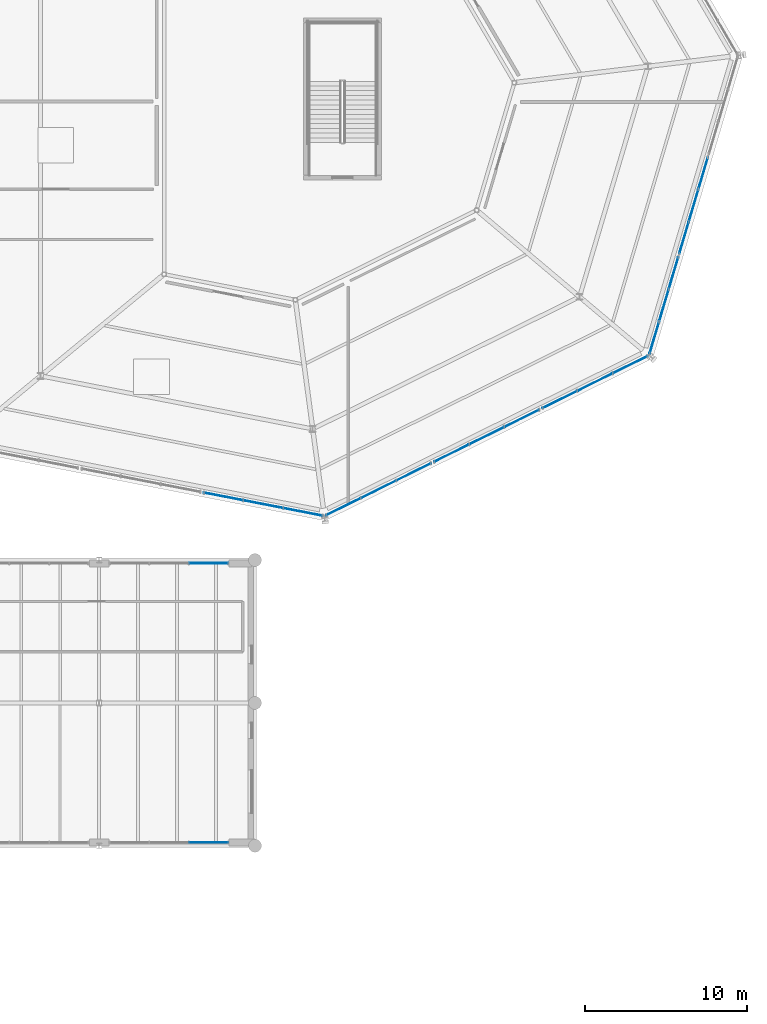
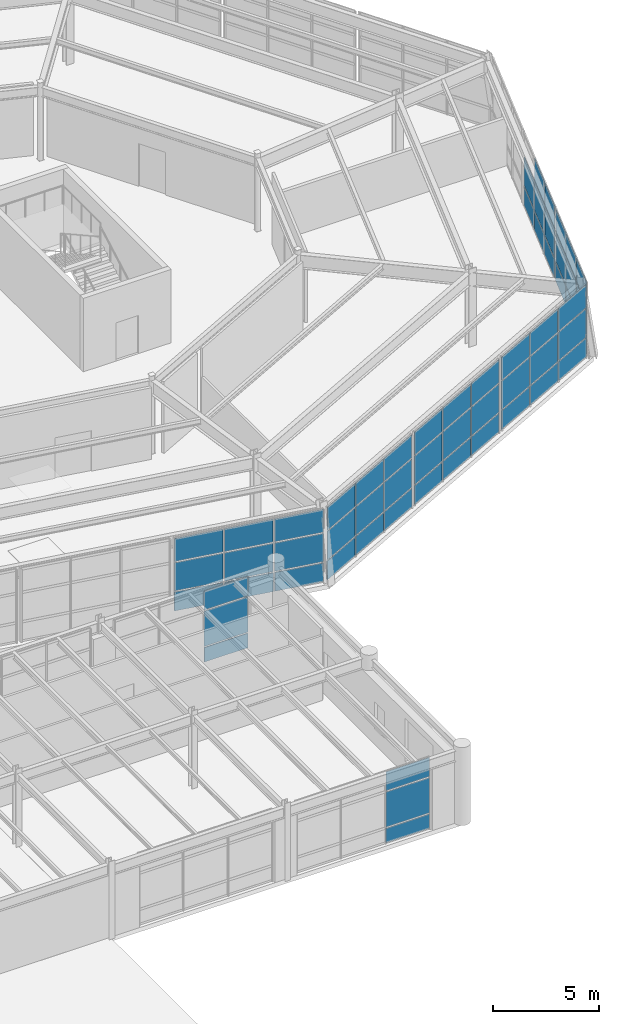
# One storey, part 55 of 88: 59 plates, 8 elements without a shape of their own.
"""IFC4 building model written with IfcOpenShell, lengths in metres."""

import ifcopenshell
import ifcopenshell.guid

model = None  # the IFC model being written
_history = None  # IfcOwnerHistory: only IFC2X3 demands one
_inside = {}  # id of a spatial element -> (the spatial element, [elements in it])
_under = {}  # id of a project, library or spatial element -> (it, [spatial elements below it])
_declared = {}  # id of a project -> (the project, [libraries it declares])
_typed = {}  # id of a type object -> (the type object, [elements of that type])
_made_of = {}  # id of a material, layer set ... -> (it, [elements and type objects made of it])


def new_model(schema):
    """Start an empty IFC model of exactly this schema.

    Asked for "IFC4X3", IfcOpenShell would pick the latest addendum, in which some entities
    have other attributes; the version numbers below select the first issue.
    IFC2X3 requires an IfcOwnerHistory on every rooted entity: one is made here for all.
    """
    global model, _history
    if schema == "IFC4X3":
        model = ifcopenshell.file(schema_version=(4, 3, 0, 0))
    else:
        model = ifcopenshell.file(schema=schema)
    _inside.clear()
    _under.clear()
    _declared.clear()
    _typed.clear()
    _made_of.clear()
    _history = None
    if model.schema == "IFC2X3":
        org = make("IfcOrganization", Name="unknown")
        user = make(
            "IfcPersonAndOrganization",
            ThePerson=make("IfcPerson", FamilyName="unknown"),
            TheOrganization=org,
        )
        app = make(
            "IfcApplication",
            ApplicationDeveloper=org,
            Version="unknown",
            ApplicationFullName="unknown",
            ApplicationIdentifier="unknown",
        )
        _history = make(
            "IfcOwnerHistory",
            OwningUser=user,
            OwningApplication=app,
            ChangeAction="ADDED",
            CreationDate=0,
        )
    return model


def make(cls, **values):
    """One entity of the class cls with the attributes given. An attribute that is None is left unset."""
    return model.create_entity(
        cls, **{name: value for name, value in values.items() if value is not None}
    )


def rooted(cls, **values):
    """An entity with a GlobalId (a new one), such as an element, a storey or a relation."""
    return make(cls, GlobalId=ifcopenshell.guid.new(), OwnerHistory=_history, **values)


def si_unit(unit_type, name, prefix=None):
    """IfcSIUnit, for example si_unit("LENGTHUNIT", "METRE", prefix="MILLI")."""
    return make("IfcSIUnit", UnitType=unit_type, Prefix=prefix, Name=name)


def assignment(units):
    """IfcUnitAssignment: the units of a project."""
    return None if units is None else make("IfcUnitAssignment", Units=units)


def point(xyz):
    """IfcCartesianPoint."""
    return None if xyz is None else make("IfcCartesianPoint", Coordinates=xyz)


def direction(xyz):
    """IfcDirection."""
    return None if xyz is None else make("IfcDirection", DirectionRatios=xyz)


def frame(location, z_axis=None, x_axis=None):
    """IfcAxis2Placement3D, a coordinate frame: its origin and axes. An axis left out is left unset."""
    return make(
        "IfcAxis2Placement3D",
        Location=point(location),
        Axis=direction(z_axis),
        RefDirection=direction(x_axis),
    )


def frame_2d(location, x_axis=None):
    """IfcAxis2Placement2D, a coordinate frame in the plane: its origin and x axis."""
    return make(
        "IfcAxis2Placement2D", Location=point(location), RefDirection=direction(x_axis)
    )


def origin():
    """The frame at (0, 0, 0) with its axes left unset."""
    return frame((0.0, 0.0, 0.0))


def origin_2d():
    """The frame at (0, 0) in the plane with its x axis left unset."""
    return frame_2d((0.0, 0.0))


def place(relative_to, where):
    """IfcLocalPlacement: puts the frame where relative to a parent placement (None: the world)."""
    return make(
        "IfcLocalPlacement", PlacementRelTo=relative_to, RelativePlacement=where
    )


def context(
    kind, dimensions, precision=None, world=None, true_north=None, identifier=None
):
    """IfcGeometricRepresentationContext, for example the 3D "Model" context."""
    return make(
        "IfcGeometricRepresentationContext",
        ContextIdentifier=identifier,
        ContextType=kind,
        CoordinateSpaceDimension=dimensions,
        Precision=precision,
        WorldCoordinateSystem=world,
        TrueNorth=true_north,
    )


def subcontext(parent, identifier, kind, view, scale=None):
    """IfcGeometricRepresentationSubContext, for example "Body" below "Model"."""
    return make(
        "IfcGeometricRepresentationSubContext",
        ContextIdentifier=identifier,
        ContextType=kind,
        ParentContext=parent,
        TargetScale=scale,
        TargetView=view,
    )


def project(units=None, contexts=None):
    """IfcProject with its units and contexts."""
    return rooted(
        "IfcProject",
        Name="project",
        RepresentationContexts=contexts,
        UnitsInContext=assignment(units),
    )


def spatial(cls, under=None, at=None, **own):
    """A site, building, storey or space (cls), placed at a placement, below another one or the project."""
    s = rooted(cls, ObjectPlacement=at, **own)
    if under is not None:
        _under.setdefault(under.id(), (under, []))[1].append(s)
    return s


def profile(cls, at=None, kind="AREA", **sizes):
    """A parametric profile (cls). Its sizes go by their IFC names, for example OverallWidth=200.0."""
    return make(cls, ProfileType=kind, Position=at, **sizes)


def rectangle(**sizes):
    """IfcRectangleProfileDef."""
    return profile("IfcRectangleProfileDef", **sizes)


def extrude(swept, where, along, depth):
    """IfcExtrudedAreaSolid: the profile swept, set in the frame where, extruded along a direction by depth."""
    return make(
        "IfcExtrudedAreaSolid",
        SweptArea=swept,
        Position=where,
        ExtrudedDirection=direction(along),
        Depth=depth,
    )


def shape(context_of_items, identifier, shape_type, items):
    """IfcShapeRepresentation: the items that make up one representation, for example the "Body"."""
    return make(
        "IfcShapeRepresentation",
        ContextOfItems=context_of_items,
        RepresentationIdentifier=identifier,
        RepresentationType=shape_type,
        Items=items,
    )


def material(Name=None, Category=None):
    """IfcMaterial."""
    return make("IfcMaterial", Name=Name, Category=Category)


def layer(
    of_material, thickness, ventilated=None, Name=None, Category=None, Priority=None
):
    """IfcMaterialLayer: one layer of a wall or slab, of a material (None: an air gap)."""
    return make(
        "IfcMaterialLayer",
        Material=of_material,
        LayerThickness=thickness,
        IsVentilated=ventilated,
        Name=Name,
        Category=Category,
        Priority=Priority,
    )


def layer_set(layers, Name=None):
    """IfcMaterialLayerSet."""
    return make("IfcMaterialLayerSet", MaterialLayers=layers, LayerSetName=Name)


def made_of(thing, what):
    """Note that an element or type object is made of a material, layer set ...; save() writes the relation."""
    if what is not None:
        _made_of.setdefault(what.id(), (what, []))[1].append(thing)
    return thing


def type_object(cls, material=None, **own):
    """A type object (cls), such as IfcWallType, which elements share."""
    return made_of(rooted(cls, **own), material)


def element(
    cls,
    number,
    at=None,
    inside=None,
    cuts=None,
    type_object=None,
    material=None,
    context=None,
    identifier="Body",
    shape_type=None,
    held_by="IfcProductDefinitionShape",
    body=None,
    shapes=None,
    **own,
):
    """One element of the class cls, such as IfcWall. Its Tag is "e" and its number.

    at: its placement. inside: the storey or other place that contains it. cuts: it is an
    opening in that element (IfcRelVoidsElement). A single representation is given by context,
    identifier, shape_type and body (its items); several are given by shapes. held_by: the class
    of the entity that holds the representations. save() writes the other relations.
    """
    e = rooted(cls, Tag="e%d" % number, ObjectPlacement=at, **own)
    if body is not None:
        shapes = [shape(context, identifier, shape_type, body)]
    if shapes is not None:
        e.Representation = make(held_by, Representations=shapes)
    if inside is not None:
        _inside.setdefault(inside.id(), (inside, []))[1].append(e)
    if cuts is not None:
        rooted(
            "IfcRelVoidsElement", RelatingBuildingElement=cuts, RelatedOpeningElement=e
        )
    if type_object is not None:
        _typed.setdefault(type_object.id(), (type_object, []))[1].append(e)
    return made_of(e, material)


def aggregate(whole, parts):
    """IfcRelAggregates: a whole, such as a stair, and the parts it consists of."""
    return rooted("IfcRelAggregates", RelatingObject=whole, RelatedObjects=parts)


def save(model, path):
    """Write the relations noted so far, then the file.

    IfcRelAggregates (storeys below a building ...), IfcRelContainedInSpatialStructure (elements
    in a storey), IfcRelDefinesByType, IfcRelAssociatesMaterial and IfcRelDeclares: one each for
    every whole, place, type object, material and project.
    """
    for whole, parts in _under.values():
        aggregate(whole, parts)
    for where, things in _inside.values():
        rooted(
            "IfcRelContainedInSpatialStructure",
            RelatedElements=things,
            RelatingStructure=where,
        )
    for kind, things in _typed.values():
        rooted("IfcRelDefinesByType", RelatedObjects=things, RelatingType=kind)
    for what, things in _made_of.values():
        rooted("IfcRelAssociatesMaterial", RelatedObjects=things, RelatingMaterial=what)
    for by, libraries in _declared.values():
        rooted("IfcRelDeclares", RelatingContext=by, RelatedDefinitions=libraries)
    model.write(path)


model = new_model("IFC4")

# Units and contexts
model_context = context("Model", 3, precision=1e-05, world=origin(), true_north=direction((0.0, 1.0)))
body_context = subcontext(model_context, "Body", "Model", "MODEL_VIEW")
ifc_project = project(units=[si_unit("LENGTHUNIT", "METRE"), si_unit("AREAUNIT", "SQUARE_METRE"), si_unit("VOLUMEUNIT", "CUBIC_METRE"), si_unit("PLANEANGLEUNIT", "RADIAN"), si_unit("MASSUNIT", "GRAM", prefix="KILO")], contexts=[model_context])

# Site, building, storey
site_placement = place(None, origin())
site = spatial("IfcSite", under=ifc_project, at=site_placement, CompositionType="ELEMENT")
building_placement = place(site_placement, origin())
building = spatial("IfcBuilding", under=site, at=building_placement, Name="Sarnbrook Museum", CompositionType="ELEMENT")
storey_placement = place(building_placement, frame((0.0, 0.0, 10.10009765625)))
storey = spatial("IfcBuildingStorey", under=building, at=storey_placement, Name="L02", CompositionType="ELEMENT", Elevation=10.10009765625)

# Curtain wall, plates
ifc_material_1 = material(Name="Thermally Broken Anodised Aluminium 6063-T6", Category="aluminium")
curtain_wall_type_1 = type_object("IfcCurtainWallType", Name="CurtainWall_CrystalFacet", PredefinedType="NOTDEFINED", material=ifc_material_1)
curtain_wall_1_placement = place(storey_placement, origin())
curtain_wall_1 = element("IfcCurtainWall", 1, at=curtain_wall_1_placement, inside=storey, type_object=curtain_wall_type_1, Name="Crystal Hall Facet Curtain Wall L02-F1.3", PredefinedType="NOTDEFINED")
ifc_material_2 = material(Name="Double-Glazed Low-Iron Laminated Safety Glass", Category="glass")
ifc_layer_1 = layer(ifc_material_2, 0.031982421875)
ifc_layer_set_1 = layer_set([ifc_layer_1], Name="Double-Glazed Low-Iron Laminated Safety Glass")
plate_type_1 = type_object("IfcPlateType", Name="CW_GlazedPanel_32", PredefinedType="CURTAIN_PANEL", material=ifc_layer_set_1)
plate_1_placement = place(storey_placement, frame((136.451904296875, 60.7333984375, 2.0), z_axis=(-0.191313464027, -0.981528990138, 0.0), x_axis=(0.981528990138, -0.191313464027, 0.0)))
plate_1 = element("IfcPlate", 2, at=plate_1_placement, type_object=plate_type_1, Name="Crystal Hall Facet Curtain Wall L02-F1.3 Glazed Panel 1-2", PredefinedType="CURTAIN_PANEL", context=body_context, shape_type="SweptSolid", body=[
    extrude(rectangle(XDim=2.4306640625, YDim=1.6298828125, at=origin_2d()), origin(), (0.0, 0.0, 1.0), 0.031982421875),
])
plate_2_placement = place(storey_placement, frame((136.451904296875, 60.7333984375, 3.544921875), z_axis=(-0.191313464027, -0.981528990138, 0.0), x_axis=(0.981528990138, -0.191313464027, 0.0)))
plate_2 = element("IfcPlate", 3, at=plate_2_placement, type_object=plate_type_1, Name="Crystal Hall Facet Curtain Wall L02-F1.3 Glazed Panel 1-3", PredefinedType="CURTAIN_PANEL", context=body_context, shape_type="SweptSolid", body=[
    extrude(rectangle(XDim=2.4306640625, YDim=1.320068359375, at=origin_2d()), origin(), (0.0, 0.0, 1.0), 0.031982421875),
])
plate_3_placement = place(storey_placement, frame((138.911376953125, 60.25390625, 2.0), z_axis=(-0.191313464027, -0.981528990138, 0.0), x_axis=(0.981528990138, -0.191313464027, 0.0)))
plate_3 = element("IfcPlate", 4, at=plate_3_placement, type_object=plate_type_1, Name="Crystal Hall Facet Curtain Wall L02-F1.3 Glazed Panel 2-2", PredefinedType="CURTAIN_PANEL", context=body_context, shape_type="SweptSolid", body=[
    extrude(rectangle(XDim=2.4306640625, YDim=1.6298828125, at=origin_2d()), origin(), (0.0, 0.0, 1.0), 0.031982421875),
])
plate_4_placement = place(storey_placement, frame((138.911376953125, 60.25390625, 3.544921875), z_axis=(-0.191313464027, -0.981528990138, 0.0), x_axis=(0.981528990138, -0.191313464027, 0.0)))
plate_4 = element("IfcPlate", 5, at=plate_4_placement, type_object=plate_type_1, Name="Crystal Hall Facet Curtain Wall L02-F1.3 Glazed Panel 2-3", PredefinedType="CURTAIN_PANEL", context=body_context, shape_type="SweptSolid", body=[
    extrude(rectangle(XDim=2.4306640625, YDim=1.320068359375, at=origin_2d()), origin(), (0.0, 0.0, 1.0), 0.031982421875),
])
plate_5_placement = place(storey_placement, frame((141.370849609375, 59.7744140625, 2.0), z_axis=(-0.191313464027, -0.981528990138, 0.0), x_axis=(0.981528990138, -0.191313464027, 0.0)))
plate_5 = element("IfcPlate", 6, at=plate_5_placement, type_object=plate_type_1, Name="Crystal Hall Facet Curtain Wall L02-F1.3 Glazed Panel 3-2", PredefinedType="CURTAIN_PANEL", context=body_context, shape_type="SweptSolid", body=[
    extrude(rectangle(XDim=2.4306640625, YDim=1.6298828125, at=origin_2d()), origin(), (0.0, 0.0, 1.0), 0.031982421875),
])
plate_6_placement = place(storey_placement, frame((141.370849609375, 59.7744140625, 3.544921875), z_axis=(-0.191313464027, -0.981528990138, 0.0), x_axis=(0.981528990138, -0.191313464027, 0.0)))
plate_6 = element("IfcPlate", 7, at=plate_6_placement, type_object=plate_type_1, Name="Crystal Hall Facet Curtain Wall L02-F1.3 Glazed Panel 3-3", PredefinedType="CURTAIN_PANEL", context=body_context, shape_type="SweptSolid", body=[
    extrude(rectangle(XDim=2.4306640625, YDim=1.320068359375, at=origin_2d()), origin(), (0.0, 0.0, 1.0), 0.031982421875),
])

curtain_wall_2_placement = place(storey_placement, origin())
curtain_wall_2 = element("IfcCurtainWall", 8, at=curtain_wall_2_placement, inside=storey, type_object=curtain_wall_type_1, Name="Crystal Hall Facet Curtain Wall L02-F2.1", PredefinedType="NOTDEFINED")
plate_7_placement = place(storey_placement, frame((143.83251953125, 60.0927734375, 2.0), z_axis=(0.443730499087, -0.896160278176, 0.0), x_axis=(0.896160278176, 0.443730499087, 0.0)))
plate_7 = element("IfcPlate", 9, at=plate_7_placement, type_object=plate_type_1, Name="Crystal Hall Facet Curtain Wall L02-F2.1 Glazed Panel 1-2", PredefinedType="CURTAIN_PANEL", context=body_context, shape_type="SweptSolid", body=[
    extrude(rectangle(XDim=2.350830078125, YDim=1.6298828125, at=origin_2d()), origin(), (0.0, 0.0, 1.0), 0.031982421875),
])
plate_8_placement = place(storey_placement, frame((143.83251953125, 60.0927734375, 3.544921875), z_axis=(0.443730499087, -0.896160278176, 0.0), x_axis=(0.896160278176, 0.443730499087, 0.0)))
plate_8 = element("IfcPlate", 10, at=plate_8_placement, type_object=plate_type_1, Name="Crystal Hall Facet Curtain Wall L02-F2.1 Glazed Panel 1-3", PredefinedType="CURTAIN_PANEL", context=body_context, shape_type="SweptSolid", body=[
    extrude(rectangle(XDim=2.350830078125, YDim=1.320068359375, at=origin_2d()), origin(), (0.0, 0.0, 1.0), 0.031982421875),
])
plate_9_placement = place(storey_placement, frame((146.00634765625, 61.169189453125, 2.0), z_axis=(0.443730499087, -0.896160278176, 0.0), x_axis=(0.896160278176, 0.443730499087, 0.0)))
plate_9 = element("IfcPlate", 11, at=plate_9_placement, type_object=plate_type_1, Name="Crystal Hall Facet Curtain Wall L02-F2.1 Glazed Panel 2-2", PredefinedType="CURTAIN_PANEL", context=body_context, shape_type="SweptSolid", body=[
    extrude(rectangle(XDim=2.350830078125, YDim=1.6298828125, at=origin_2d()), origin(), (0.0, 0.0, 1.0), 0.031982421875),
])
plate_10_placement = place(storey_placement, frame((146.00634765625, 61.169189453125, 3.544921875), z_axis=(0.443730499087, -0.896160278176, 0.0), x_axis=(0.896160278176, 0.443730499087, 0.0)))
plate_10 = element("IfcPlate", 12, at=plate_10_placement, type_object=plate_type_1, Name="Crystal Hall Facet Curtain Wall L02-F2.1 Glazed Panel 2-3", PredefinedType="CURTAIN_PANEL", context=body_context, shape_type="SweptSolid", body=[
    extrude(rectangle(XDim=2.350830078125, YDim=1.320068359375, at=origin_2d()), origin(), (0.0, 0.0, 1.0), 0.031982421875),
])
plate_11_placement = place(storey_placement, frame((148.180419921875, 62.24560546875, 2.0), z_axis=(0.443730499087, -0.896160278176, 0.0), x_axis=(0.896160278176, 0.443730499087, 0.0)))
plate_11 = element("IfcPlate", 13, at=plate_11_placement, type_object=plate_type_1, Name="Crystal Hall Facet Curtain Wall L02-F2.1 Glazed Panel 3-2", PredefinedType="CURTAIN_PANEL", context=body_context, shape_type="SweptSolid", body=[
    extrude(rectangle(XDim=2.350830078125, YDim=1.6298828125, at=origin_2d()), origin(), (0.0, 0.0, 1.0), 0.031982421875),
])
plate_12_placement = place(storey_placement, frame((148.180419921875, 62.24560546875, 3.544921875), z_axis=(0.443730499087, -0.896160278176, 0.0), x_axis=(0.896160278176, 0.443730499087, 0.0)))
plate_12 = element("IfcPlate", 14, at=plate_12_placement, type_object=plate_type_1, Name="Crystal Hall Facet Curtain Wall L02-F2.1 Glazed Panel 3-3", PredefinedType="CURTAIN_PANEL", context=body_context, shape_type="SweptSolid", body=[
    extrude(rectangle(XDim=2.350830078125, YDim=1.320068359375, at=origin_2d()), origin(), (0.0, 0.0, 1.0), 0.031982421875),
])

curtain_wall_3_placement = place(storey_placement, origin())
curtain_wall_3 = element("IfcCurtainWall", 15, at=curtain_wall_3_placement, inside=storey, type_object=curtain_wall_type_1, Name="Crystal Hall Facet Curtain Wall L02-F2.2", PredefinedType="NOTDEFINED")
plate_13_placement = place(storey_placement, frame((150.49755859375, 63.392822265625, 2.0), z_axis=(0.443730499087, -0.896160278176, 0.0), x_axis=(0.896160278176, 0.443730499087, 0.0)))
plate_13 = element("IfcPlate", 16, at=plate_13_placement, type_object=plate_type_1, Name="Crystal Hall Facet Curtain Wall L02-F2.2 Glazed Panel 1-2", PredefinedType="CURTAIN_PANEL", context=body_context, shape_type="SweptSolid", body=[
    extrude(rectangle(XDim=2.350830078125, YDim=1.6298828125, at=origin_2d()), origin(), (0.0, 0.0, 1.0), 0.031982421875),
])
plate_14_placement = place(storey_placement, frame((150.49755859375, 63.392822265625, 3.544921875), z_axis=(0.443730499087, -0.896160278176, 0.0), x_axis=(0.896160278176, 0.443730499087, 0.0)))
plate_14 = element("IfcPlate", 17, at=plate_14_placement, type_object=plate_type_1, Name="Crystal Hall Facet Curtain Wall L02-F2.2 Glazed Panel 1-3", PredefinedType="CURTAIN_PANEL", context=body_context, shape_type="SweptSolid", body=[
    extrude(rectangle(XDim=2.350830078125, YDim=1.320068359375, at=origin_2d()), origin(), (0.0, 0.0, 1.0), 0.031982421875),
])
plate_15_placement = place(storey_placement, frame((152.671630859375, 64.46923828125, 2.0), z_axis=(0.443730499087, -0.896160278176, 0.0), x_axis=(0.896160278176, 0.443730499087, 0.0)))
plate_15 = element("IfcPlate", 18, at=plate_15_placement, type_object=plate_type_1, Name="Crystal Hall Facet Curtain Wall L02-F2.2 Glazed Panel 2-2", PredefinedType="CURTAIN_PANEL", context=body_context, shape_type="SweptSolid", body=[
    extrude(rectangle(XDim=2.350830078125, YDim=1.6298828125, at=origin_2d()), origin(), (0.0, 0.0, 1.0), 0.031982421875),
])
plate_16_placement = place(storey_placement, frame((152.671630859375, 64.46923828125, 3.544921875), z_axis=(0.443730499087, -0.896160278176, 0.0), x_axis=(0.896160278176, 0.443730499087, 0.0)))
plate_16 = element("IfcPlate", 19, at=plate_16_placement, type_object=plate_type_1, Name="Crystal Hall Facet Curtain Wall L02-F2.2 Glazed Panel 2-3", PredefinedType="CURTAIN_PANEL", context=body_context, shape_type="SweptSolid", body=[
    extrude(rectangle(XDim=2.350830078125, YDim=1.320068359375, at=origin_2d()), origin(), (0.0, 0.0, 1.0), 0.031982421875),
])
plate_17_placement = place(storey_placement, frame((154.845458984375, 65.545654296875, 2.0), z_axis=(0.443730499087, -0.896160278176, 0.0), x_axis=(0.896160278176, 0.443730499087, 0.0)))
plate_17 = element("IfcPlate", 20, at=plate_17_placement, type_object=plate_type_1, Name="Crystal Hall Facet Curtain Wall L02-F2.2 Glazed Panel 3-2", PredefinedType="CURTAIN_PANEL", context=body_context, shape_type="SweptSolid", body=[
    extrude(rectangle(XDim=2.350830078125, YDim=1.6298828125, at=origin_2d()), origin(), (0.0, 0.0, 1.0), 0.031982421875),
])
plate_18_placement = place(storey_placement, frame((154.845458984375, 65.545654296875, 3.544921875), z_axis=(0.443730499087, -0.896160278176, 0.0), x_axis=(0.896160278176, 0.443730499087, 0.0)))
plate_18 = element("IfcPlate", 21, at=plate_18_placement, type_object=plate_type_1, Name="Crystal Hall Facet Curtain Wall L02-F2.2 Glazed Panel 3-3", PredefinedType="CURTAIN_PANEL", context=body_context, shape_type="SweptSolid", body=[
    extrude(rectangle(XDim=2.350830078125, YDim=1.320068359375, at=origin_2d()), origin(), (0.0, 0.0, 1.0), 0.031982421875),
])

curtain_wall_4_placement = place(storey_placement, origin())
curtain_wall_4 = element("IfcCurtainWall", 22, at=curtain_wall_4_placement, inside=storey, type_object=curtain_wall_type_1, Name="Crystal Hall Facet Curtain Wall L02-F2.3", PredefinedType="NOTDEFINED")
plate_19_placement = place(storey_placement, frame((157.162841796875, 66.693115234375, 2.0), z_axis=(0.443730499087, -0.896160278176, 0.0), x_axis=(0.896160278176, 0.443730499087, 0.0)))
plate_19 = element("IfcPlate", 23, at=plate_19_placement, type_object=plate_type_1, Name="Crystal Hall Facet Curtain Wall L02-F2.3 Glazed Panel 1-2", PredefinedType="CURTAIN_PANEL", context=body_context, shape_type="SweptSolid", body=[
    extrude(rectangle(XDim=2.350830078125, YDim=1.6298828125, at=origin_2d()), origin(), (0.0, 0.0, 1.0), 0.031982421875),
])
plate_20_placement = place(storey_placement, frame((157.162841796875, 66.693115234375, 3.544921875), z_axis=(0.443730499087, -0.896160278176, 0.0), x_axis=(0.896160278176, 0.443730499087, 0.0)))
plate_20 = element("IfcPlate", 24, at=plate_20_placement, type_object=plate_type_1, Name="Crystal Hall Facet Curtain Wall L02-F2.3 Glazed Panel 1-3", PredefinedType="CURTAIN_PANEL", context=body_context, shape_type="SweptSolid", body=[
    extrude(rectangle(XDim=2.350830078125, YDim=1.320068359375, at=origin_2d()), origin(), (0.0, 0.0, 1.0), 0.031982421875),
])
plate_21_placement = place(storey_placement, frame((159.336669921875, 67.76953125, 2.0), z_axis=(0.443730499087, -0.896160278176, 0.0), x_axis=(0.896160278176, 0.443730499087, 0.0)))
plate_21 = element("IfcPlate", 25, at=plate_21_placement, type_object=plate_type_1, Name="Crystal Hall Facet Curtain Wall L02-F2.3 Glazed Panel 2-2", PredefinedType="CURTAIN_PANEL", context=body_context, shape_type="SweptSolid", body=[
    extrude(rectangle(XDim=2.350830078125, YDim=1.6298828125, at=origin_2d()), origin(), (0.0, 0.0, 1.0), 0.031982421875),
])
plate_22_placement = place(storey_placement, frame((159.336669921875, 67.76953125, 3.544921875), z_axis=(0.443730499087, -0.896160278176, 0.0), x_axis=(0.896160278176, 0.443730499087, 0.0)))
plate_22 = element("IfcPlate", 26, at=plate_22_placement, type_object=plate_type_1, Name="Crystal Hall Facet Curtain Wall L02-F2.3 Glazed Panel 2-3", PredefinedType="CURTAIN_PANEL", context=body_context, shape_type="SweptSolid", body=[
    extrude(rectangle(XDim=2.350830078125, YDim=1.320068359375, at=origin_2d()), origin(), (0.0, 0.0, 1.0), 0.031982421875),
])
plate_23_placement = place(storey_placement, frame((161.510498046875, 68.845947265625, 2.0), z_axis=(0.443730499087, -0.896160278176, 0.0), x_axis=(0.896160278176, 0.443730499087, 0.0)))
plate_23 = element("IfcPlate", 27, at=plate_23_placement, type_object=plate_type_1, Name="Crystal Hall Facet Curtain Wall L02-F2.3 Glazed Panel 3-2", PredefinedType="CURTAIN_PANEL", context=body_context, shape_type="SweptSolid", body=[
    extrude(rectangle(XDim=2.350830078125, YDim=1.6298828125, at=origin_2d()), origin(), (0.0, 0.0, 1.0), 0.031982421875),
])
plate_24_placement = place(storey_placement, frame((161.510498046875, 68.845947265625, 3.544921875), z_axis=(0.443730499087, -0.896160278176, 0.0), x_axis=(0.896160278176, 0.443730499087, 0.0)))
plate_24 = element("IfcPlate", 28, at=plate_24_placement, type_object=plate_type_1, Name="Crystal Hall Facet Curtain Wall L02-F2.3 Glazed Panel 3-3", PredefinedType="CURTAIN_PANEL", context=body_context, shape_type="SweptSolid", body=[
    extrude(rectangle(XDim=2.350830078125, YDim=1.320068359375, at=origin_2d()), origin(), (0.0, 0.0, 1.0), 0.031982421875),
])

curtain_wall_5_placement = place(storey_placement, origin())
curtain_wall_5 = element("IfcCurtainWall", 29, at=curtain_wall_5_placement, inside=storey, type_object=curtain_wall_type_1, Name="Crystal Hall Facet Curtain Wall L02-F3.1", PredefinedType="NOTDEFINED")
plate_25_placement = place(storey_placement, frame((162.98486328125, 70.4921875, 2.0), z_axis=(0.95864604765, -0.284601045896, 0.0), x_axis=(0.284601045896, 0.95864604765, 0.0)))
plate_25 = element("IfcPlate", 30, at=plate_25_placement, type_object=plate_type_1, Name="Crystal Hall Facet Curtain Wall L02-F3.1 Glazed Panel 1-2", PredefinedType="CURTAIN_PANEL", context=body_context, shape_type="SweptSolid", body=[
    extrude(rectangle(XDim=2.0126953125, YDim=1.6298828125, at=origin_2d()), origin(), (0.0, 0.0, 1.0), 0.031982421875),
])
plate_26_placement = place(storey_placement, frame((162.98486328125, 70.4921875, 3.544921875), z_axis=(0.95864604765, -0.284601045896, 0.0), x_axis=(0.284601045896, 0.95864604765, 0.0)))
plate_26 = element("IfcPlate", 31, at=plate_26_placement, type_object=plate_type_1, Name="Crystal Hall Facet Curtain Wall L02-F3.1 Glazed Panel 1-3", PredefinedType="CURTAIN_PANEL", context=body_context, shape_type="SweptSolid", body=[
    extrude(rectangle(XDim=2.0126953125, YDim=1.320068359375, at=origin_2d()), origin(), (0.0, 0.0, 1.0), 0.031982421875),
])
plate_27_placement = place(storey_placement, frame((163.5791015625, 72.49365234375, 2.0), z_axis=(0.95864604765, -0.284601045896, 0.0), x_axis=(0.284601045896, 0.95864604765, 0.0)))
plate_27 = element("IfcPlate", 32, at=plate_27_placement, type_object=plate_type_1, Name="Crystal Hall Facet Curtain Wall L02-F3.1 Glazed Panel 2-2", PredefinedType="CURTAIN_PANEL", context=body_context, shape_type="SweptSolid", body=[
    extrude(rectangle(XDim=2.0126953125, YDim=1.6298828125, at=origin_2d()), origin(), (0.0, 0.0, 1.0), 0.031982421875),
])
plate_28_placement = place(storey_placement, frame((163.5791015625, 72.49365234375, 3.544921875), z_axis=(0.95864604765, -0.284601045896, 0.0), x_axis=(0.284601045896, 0.95864604765, 0.0)))
plate_28 = element("IfcPlate", 33, at=plate_28_placement, type_object=plate_type_1, Name="Crystal Hall Facet Curtain Wall L02-F3.1 Glazed Panel 2-3", PredefinedType="CURTAIN_PANEL", context=body_context, shape_type="SweptSolid", body=[
    extrude(rectangle(XDim=2.0126953125, YDim=1.320068359375, at=origin_2d()), origin(), (0.0, 0.0, 1.0), 0.031982421875),
])
plate_29_placement = place(storey_placement, frame((164.17333984375, 74.4951171875, 2.0), z_axis=(0.95864604765, -0.284601045896, 0.0), x_axis=(0.284601045896, 0.95864604765, 0.0)))
plate_29 = element("IfcPlate", 34, at=plate_29_placement, type_object=plate_type_1, Name="Crystal Hall Facet Curtain Wall L02-F3.1 Glazed Panel 3-2", PredefinedType="CURTAIN_PANEL", context=body_context, shape_type="SweptSolid", body=[
    extrude(rectangle(XDim=2.0126953125, YDim=1.6298828125, at=origin_2d()), origin(), (0.0, 0.0, 1.0), 0.031982421875),
])
plate_30_placement = place(storey_placement, frame((164.17333984375, 74.4951171875, 3.544921875), z_axis=(0.95864604765, -0.284601045896, 0.0), x_axis=(0.284601045896, 0.95864604765, 0.0)))
plate_30 = element("IfcPlate", 35, at=plate_30_placement, type_object=plate_type_1, Name="Crystal Hall Facet Curtain Wall L02-F3.1 Glazed Panel 3-3", PredefinedType="CURTAIN_PANEL", context=body_context, shape_type="SweptSolid", body=[
    extrude(rectangle(XDim=2.0126953125, YDim=1.320068359375, at=origin_2d()), origin(), (0.0, 0.0, 1.0), 0.031982421875),
])

curtain_wall_6_placement = place(storey_placement, origin())
curtain_wall_6 = element("IfcCurtainWall", 36, at=curtain_wall_6_placement, inside=storey, type_object=curtain_wall_type_1, Name="Crystal Hall Facet Curtain Wall L02-F3.2", PredefinedType="NOTDEFINED")
plate_31_placement = place(storey_placement, frame((164.81298828125, 76.64990234375, 2.0), z_axis=(0.95864604765, -0.284601045896, 0.0), x_axis=(0.284601045896, 0.95864604765, 0.0)))
plate_31 = element("IfcPlate", 37, at=plate_31_placement, type_object=plate_type_1, Name="Crystal Hall Facet Curtain Wall L02-F3.2 Glazed Panel 1-2", PredefinedType="CURTAIN_PANEL", context=body_context, shape_type="SweptSolid", body=[
    extrude(rectangle(XDim=2.0126953125, YDim=1.6298828125, at=origin_2d()), origin(), (0.0, 0.0, 1.0), 0.031982421875),
])
plate_32_placement = place(storey_placement, frame((164.81298828125, 76.64990234375, 3.544921875), z_axis=(0.95864604765, -0.284601045896, 0.0), x_axis=(0.284601045896, 0.95864604765, 0.0)))
plate_32 = element("IfcPlate", 38, at=plate_32_placement, type_object=plate_type_1, Name="Crystal Hall Facet Curtain Wall L02-F3.2 Glazed Panel 1-3", PredefinedType="CURTAIN_PANEL", context=body_context, shape_type="SweptSolid", body=[
    extrude(rectangle(XDim=2.0126953125, YDim=1.320068359375, at=origin_2d()), origin(), (0.0, 0.0, 1.0), 0.031982421875),
])
plate_33_placement = place(storey_placement, frame((165.4072265625, 78.651123046875, 2.0), z_axis=(0.95864604765, -0.284601045896, 0.0), x_axis=(0.284601045896, 0.95864604765, 0.0)))
plate_33 = element("IfcPlate", 39, at=plate_33_placement, type_object=plate_type_1, Name="Crystal Hall Facet Curtain Wall L02-F3.2 Glazed Panel 2-2", PredefinedType="CURTAIN_PANEL", context=body_context, shape_type="SweptSolid", body=[
    extrude(rectangle(XDim=2.0126953125, YDim=1.6298828125, at=origin_2d()), origin(), (0.0, 0.0, 1.0), 0.031982421875),
])
plate_34_placement = place(storey_placement, frame((165.4072265625, 78.651123046875, 3.544921875), z_axis=(0.95864604765, -0.284601045896, 0.0), x_axis=(0.284601045896, 0.95864604765, 0.0)))
plate_34 = element("IfcPlate", 40, at=plate_34_placement, type_object=plate_type_1, Name="Crystal Hall Facet Curtain Wall L02-F3.2 Glazed Panel 2-3", PredefinedType="CURTAIN_PANEL", context=body_context, shape_type="SweptSolid", body=[
    extrude(rectangle(XDim=2.0126953125, YDim=1.320068359375, at=origin_2d()), origin(), (0.0, 0.0, 1.0), 0.031982421875),
])
plate_35_placement = place(storey_placement, frame((166.001220703125, 80.652587890625, 2.0), z_axis=(0.95864604765, -0.284601045896, 0.0), x_axis=(0.284601045896, 0.95864604765, 0.0)))
plate_35 = element("IfcPlate", 41, at=plate_35_placement, type_object=plate_type_1, Name="Crystal Hall Facet Curtain Wall L02-F3.2 Glazed Panel 3-2", PredefinedType="CURTAIN_PANEL", context=body_context, shape_type="SweptSolid", body=[
    extrude(rectangle(XDim=2.0126953125, YDim=1.6298828125, at=origin_2d()), origin(), (0.0, 0.0, 1.0), 0.031982421875),
])

curtain_wall_type_2 = type_object("IfcCurtainWallType", Name="CurtainWall_GalleryRibbon", PredefinedType="NOTDEFINED", material=ifc_material_1)
curtain_wall_7_placement = place(storey_placement, origin())
curtain_wall_7 = element("IfcCurtainWall", 42, at=curtain_wall_7_placement, inside=storey, type_object=curtain_wall_type_2, Name="Gallery Ribbon Curtain Wall L02-16.2", PredefinedType="NOTDEFINED")
plate_36_placement = place(storey_placement, frame((135.55322265625, 39.41796875, 1.949951171875), z_axis=(0.0, -1.0, 0.0), x_axis=(1.0, 0.0, 0.0)))
plate_36 = element("IfcPlate", 43, at=plate_36_placement, type_object=plate_type_1, Name="Gallery Ribbon Curtain Wall L02-16.2 Glazed Panel 3-2", PredefinedType="CURTAIN_PANEL", context=body_context, shape_type="SweptSolid", body=[
    extrude(rectangle(XDim=2.37841796875, YDim=2.030029296875, at=origin_2d()), origin(), (0.0, 0.0, 1.0), 0.031982421875),
])
plate_37_placement = place(storey_placement, frame((135.55322265625, 39.41796875, 3.579833984375), z_axis=(0.0, -1.0, 0.0), x_axis=(1.0, 0.0, 0.0)))
plate_37 = element("IfcPlate", 44, at=plate_37_placement, type_object=plate_type_1, Name="Gallery Ribbon Curtain Wall L02-16.2 Glazed Panel 3-3", PredefinedType="CURTAIN_PANEL", context=body_context, shape_type="SweptSolid", body=[
    extrude(rectangle(XDim=2.37841796875, YDim=1.090087890625, at=origin_2d()), origin(), (0.0, 0.0, 1.0), 0.031982421875),
])

curtain_wall_8_placement = place(storey_placement, origin())
curtain_wall_8 = element("IfcCurtainWall", 45, at=curtain_wall_8_placement, inside=storey, type_object=curtain_wall_type_2, Name="Gallery Ribbon Curtain Wall L02-18.1", PredefinedType="NOTDEFINED")
plate_38_placement = place(storey_placement, frame((135.55322265625, 56.58203125, 1.949951171875), z_axis=(0.0, 1.0, 0.0), x_axis=(-1.0, 0.0, 0.0)))
plate_38 = element("IfcPlate", 46, at=plate_38_placement, type_object=plate_type_1, Name="Gallery Ribbon Curtain Wall L02-18.1 Glazed Panel 1-2", PredefinedType="CURTAIN_PANEL", context=body_context, shape_type="SweptSolid", body=[
    extrude(rectangle(XDim=2.37841796875, YDim=2.030029296875, at=origin_2d()), origin(), (0.0, 0.0, 1.0), 0.031982421875),
])
plate_39_placement = place(storey_placement, frame((135.55322265625, 56.58203125, 3.579833984375), z_axis=(0.0, 1.0, 0.0), x_axis=(-1.0, 0.0, 0.0)))
plate_39 = element("IfcPlate", 47, at=plate_39_placement, type_object=plate_type_1, Name="Gallery Ribbon Curtain Wall L02-18.1 Glazed Panel 1-3", PredefinedType="CURTAIN_PANEL", context=body_context, shape_type="SweptSolid", body=[
    extrude(rectangle(XDim=2.37841796875, YDim=1.090087890625, at=origin_2d()), origin(), (0.0, 0.0, 1.0), 0.031982421875),
])

# Plate
ifc_material_3 = material(Name="Patinated Architectural Bronze")
ifc_layer_2 = layer(ifc_material_3, 0.044921875)
ifc_layer_set_2 = layer_set([ifc_layer_2], Name="Patinated Architectural Bronze")
plate_type_2 = type_object("IfcPlateType", Name="CW_SpandrelPanel_45", PredefinedType="CURTAIN_PANEL", material=ifc_layer_set_2)
plate_40_placement = place(storey_placement, frame((136.453125, 60.73974609375, 0.574951171875), z_axis=(-0.191313464027, -0.981528990138, 0.0), x_axis=(0.981528990138, -0.191313464027, 0.0)))
plate_40 = element("IfcPlate", 48, at=plate_40_placement, type_object=plate_type_2, Name="Crystal Hall Facet Curtain Wall L02-F1.3 Spandrel Panel 1-1", PredefinedType="CURTAIN_PANEL", context=body_context, shape_type="SweptSolid", body=[
    extrude(rectangle(XDim=2.4306640625, YDim=1.080078125, at=origin_2d()), origin(), (0.0, 0.0, 1.0), 0.044921875),
])

plate_41_placement = place(storey_placement, frame((138.91259765625, 60.26025390625, 0.574951171875), z_axis=(-0.191313464027, -0.981528990138, 0.0), x_axis=(0.981528990138, -0.191313464027, 0.0)))
plate_41 = element("IfcPlate", 49, at=plate_41_placement, type_object=plate_type_2, Name="Crystal Hall Facet Curtain Wall L02-F1.3 Spandrel Panel 2-1", PredefinedType="CURTAIN_PANEL", context=body_context, shape_type="SweptSolid", body=[
    extrude(rectangle(XDim=2.4306640625, YDim=1.080078125, at=origin_2d()), origin(), (0.0, 0.0, 1.0), 0.044921875),
])

plate_42_placement = place(storey_placement, frame((141.3720703125, 59.78076171875, 0.574951171875), z_axis=(-0.191313464027, -0.981528990138, 0.0), x_axis=(0.981528990138, -0.191313464027, 0.0)))
plate_42 = element("IfcPlate", 50, at=plate_42_placement, type_object=plate_type_2, Name="Crystal Hall Facet Curtain Wall L02-F1.3 Spandrel Panel 3-1", PredefinedType="CURTAIN_PANEL", context=body_context, shape_type="SweptSolid", body=[
    extrude(rectangle(XDim=2.4306640625, YDim=1.080078125, at=origin_2d()), origin(), (0.0, 0.0, 1.0), 0.044921875),
])

aggregate(curtain_wall_1, [plate_40, plate_1, plate_2, plate_41, plate_3, plate_4, plate_42, plate_5, plate_6])

plate_43_placement = place(storey_placement, frame((143.82958984375, 60.098388671875, 0.574951171875), z_axis=(0.443730499087, -0.896160278176, 0.0), x_axis=(0.896160278176, 0.443730499087, 0.0)))
plate_43 = element("IfcPlate", 51, at=plate_43_placement, type_object=plate_type_2, Name="Crystal Hall Facet Curtain Wall L02-F2.1 Spandrel Panel 1-1", PredefinedType="CURTAIN_PANEL", context=body_context, shape_type="SweptSolid", body=[
    extrude(rectangle(XDim=2.350830078125, YDim=1.080078125, at=origin_2d()), origin(), (0.0, 0.0, 1.0), 0.044921875),
])

plate_44_placement = place(storey_placement, frame((146.00341796875, 61.1748046875, 0.574951171875), z_axis=(0.443730499087, -0.896160278176, 0.0), x_axis=(0.896160278176, 0.443730499087, 0.0)))
plate_44 = element("IfcPlate", 52, at=plate_44_placement, type_object=plate_type_2, Name="Crystal Hall Facet Curtain Wall L02-F2.1 Spandrel Panel 2-1", PredefinedType="CURTAIN_PANEL", context=body_context, shape_type="SweptSolid", body=[
    extrude(rectangle(XDim=2.350830078125, YDim=1.080078125, at=origin_2d()), origin(), (0.0, 0.0, 1.0), 0.044921875),
])

plate_45_placement = place(storey_placement, frame((148.177490234375, 62.251220703125, 0.574951171875), z_axis=(0.443730499087, -0.896160278176, 0.0), x_axis=(0.896160278176, 0.443730499087, 0.0)))
plate_45 = element("IfcPlate", 53, at=plate_45_placement, type_object=plate_type_2, Name="Crystal Hall Facet Curtain Wall L02-F2.1 Spandrel Panel 3-1", PredefinedType="CURTAIN_PANEL", context=body_context, shape_type="SweptSolid", body=[
    extrude(rectangle(XDim=2.350830078125, YDim=1.080078125, at=origin_2d()), origin(), (0.0, 0.0, 1.0), 0.044921875),
])

aggregate(curtain_wall_2, [plate_43, plate_7, plate_8, plate_44, plate_9, plate_10, plate_45, plate_11, plate_12])

plate_46_placement = place(storey_placement, frame((150.49462890625, 63.3984375, 0.574951171875), z_axis=(0.443730499087, -0.896160278176, 0.0), x_axis=(0.896160278176, 0.443730499087, 0.0)))
plate_46 = element("IfcPlate", 54, at=plate_46_placement, type_object=plate_type_2, Name="Crystal Hall Facet Curtain Wall L02-F2.2 Spandrel Panel 1-1", PredefinedType="CURTAIN_PANEL", context=body_context, shape_type="SweptSolid", body=[
    extrude(rectangle(XDim=2.350830078125, YDim=1.080078125, at=origin_2d()), origin(), (0.0, 0.0, 1.0), 0.044921875),
])

plate_47_placement = place(storey_placement, frame((152.668701171875, 64.474853515625, 0.574951171875), z_axis=(0.443730499087, -0.896160278176, 0.0), x_axis=(0.896160278176, 0.443730499087, 0.0)))
plate_47 = element("IfcPlate", 55, at=plate_47_placement, type_object=plate_type_2, Name="Crystal Hall Facet Curtain Wall L02-F2.2 Spandrel Panel 2-1", PredefinedType="CURTAIN_PANEL", context=body_context, shape_type="SweptSolid", body=[
    extrude(rectangle(XDim=2.350830078125, YDim=1.080078125, at=origin_2d()), origin(), (0.0, 0.0, 1.0), 0.044921875),
])

plate_48_placement = place(storey_placement, frame((154.842529296875, 65.55126953125, 0.574951171875), z_axis=(0.443730499087, -0.896160278176, 0.0), x_axis=(0.896160278176, 0.443730499087, 0.0)))
plate_48 = element("IfcPlate", 56, at=plate_48_placement, type_object=plate_type_2, Name="Crystal Hall Facet Curtain Wall L02-F2.2 Spandrel Panel 3-1", PredefinedType="CURTAIN_PANEL", context=body_context, shape_type="SweptSolid", body=[
    extrude(rectangle(XDim=2.350830078125, YDim=1.080078125, at=origin_2d()), origin(), (0.0, 0.0, 1.0), 0.044921875),
])

aggregate(curtain_wall_3, [plate_46, plate_13, plate_14, plate_47, plate_15, plate_16, plate_48, plate_17, plate_18])

plate_49_placement = place(storey_placement, frame((157.159912109375, 66.69873046875, 0.574951171875), z_axis=(0.443730499087, -0.896160278176, 0.0), x_axis=(0.896160278176, 0.443730499087, 0.0)))
plate_49 = element("IfcPlate", 57, at=plate_49_placement, type_object=plate_type_2, Name="Crystal Hall Facet Curtain Wall L02-F2.3 Spandrel Panel 1-1", PredefinedType="CURTAIN_PANEL", context=body_context, shape_type="SweptSolid", body=[
    extrude(rectangle(XDim=2.350830078125, YDim=1.080078125, at=origin_2d()), origin(), (0.0, 0.0, 1.0), 0.044921875),
])

plate_50_placement = place(storey_placement, frame((159.333740234375, 67.775146484375, 0.574951171875), z_axis=(0.443730499087, -0.896160278176, 0.0), x_axis=(0.896160278176, 0.443730499087, 0.0)))
plate_50 = element("IfcPlate", 58, at=plate_50_placement, type_object=plate_type_2, Name="Crystal Hall Facet Curtain Wall L02-F2.3 Spandrel Panel 2-1", PredefinedType="CURTAIN_PANEL", context=body_context, shape_type="SweptSolid", body=[
    extrude(rectangle(XDim=2.350830078125, YDim=1.080078125, at=origin_2d()), origin(), (0.0, 0.0, 1.0), 0.044921875),
])

plate_51_placement = place(storey_placement, frame((161.507568359375, 68.8515625, 0.574951171875), z_axis=(0.443730499087, -0.896160278176, 0.0), x_axis=(0.896160278176, 0.443730499087, 0.0)))
plate_51 = element("IfcPlate", 59, at=plate_51_placement, type_object=plate_type_2, Name="Crystal Hall Facet Curtain Wall L02-F2.3 Spandrel Panel 3-1", PredefinedType="CURTAIN_PANEL", context=body_context, shape_type="SweptSolid", body=[
    extrude(rectangle(XDim=2.350830078125, YDim=1.080078125, at=origin_2d()), origin(), (0.0, 0.0, 1.0), 0.044921875),
])

aggregate(curtain_wall_4, [plate_49, plate_19, plate_20, plate_50, plate_21, plate_22, plate_51, plate_23, plate_24])

plate_52_placement = place(storey_placement, frame((162.978759765625, 70.493896484375, 0.574951171875), z_axis=(0.95864604765, -0.284601045896, 0.0), x_axis=(0.284601045896, 0.95864604765, 0.0)))
plate_52 = element("IfcPlate", 60, at=plate_52_placement, type_object=plate_type_2, Name="Crystal Hall Facet Curtain Wall L02-F3.1 Spandrel Panel 1-1", PredefinedType="CURTAIN_PANEL", context=body_context, shape_type="SweptSolid", body=[
    extrude(rectangle(XDim=2.0126953125, YDim=1.080078125, at=origin_2d()), origin(), (0.0, 0.0, 1.0), 0.044921875),
])

plate_53_placement = place(storey_placement, frame((163.572998046875, 72.495361328125, 0.574951171875), z_axis=(0.95864604765, -0.284601045896, 0.0), x_axis=(0.284601045896, 0.95864604765, 0.0)))
plate_53 = element("IfcPlate", 61, at=plate_53_placement, type_object=plate_type_2, Name="Crystal Hall Facet Curtain Wall L02-F3.1 Spandrel Panel 2-1", PredefinedType="CURTAIN_PANEL", context=body_context, shape_type="SweptSolid", body=[
    extrude(rectangle(XDim=2.0126953125, YDim=1.080078125, at=origin_2d()), origin(), (0.0, 0.0, 1.0), 0.044921875),
])

plate_54_placement = place(storey_placement, frame((164.167236328125, 74.496826171875, 0.574951171875), z_axis=(0.95864604765, -0.284601045896, 0.0), x_axis=(0.284601045896, 0.95864604765, 0.0)))
plate_54 = element("IfcPlate", 62, at=plate_54_placement, type_object=plate_type_2, Name="Crystal Hall Facet Curtain Wall L02-F3.1 Spandrel Panel 3-1", PredefinedType="CURTAIN_PANEL", context=body_context, shape_type="SweptSolid", body=[
    extrude(rectangle(XDim=2.0126953125, YDim=1.080078125, at=origin_2d()), origin(), (0.0, 0.0, 1.0), 0.044921875),
])

aggregate(curtain_wall_5, [plate_52, plate_25, plate_26, plate_53, plate_27, plate_28, plate_54, plate_29, plate_30])

plate_55_placement = place(storey_placement, frame((164.806884765625, 76.651611328125, 0.574951171875), z_axis=(0.95864604765, -0.284601045896, 0.0), x_axis=(0.284601045896, 0.95864604765, 0.0)))
plate_55 = element("IfcPlate", 63, at=plate_55_placement, type_object=plate_type_2, Name="Crystal Hall Facet Curtain Wall L02-F3.2 Spandrel Panel 1-1", PredefinedType="CURTAIN_PANEL", context=body_context, shape_type="SweptSolid", body=[
    extrude(rectangle(XDim=2.0126953125, YDim=1.080078125, at=origin_2d()), origin(), (0.0, 0.0, 1.0), 0.044921875),
])

plate_56_placement = place(storey_placement, frame((165.401123046875, 78.65283203125, 0.574951171875), z_axis=(0.95864604765, -0.284601045896, 0.0), x_axis=(0.284601045896, 0.95864604765, 0.0)))
plate_56 = element("IfcPlate", 64, at=plate_56_placement, type_object=plate_type_2, Name="Crystal Hall Facet Curtain Wall L02-F3.2 Spandrel Panel 2-1", PredefinedType="CURTAIN_PANEL", context=body_context, shape_type="SweptSolid", body=[
    extrude(rectangle(XDim=2.0126953125, YDim=1.080078125, at=origin_2d()), origin(), (0.0, 0.0, 1.0), 0.044921875),
])

plate_57_placement = place(storey_placement, frame((165.9951171875, 80.654296875, 0.574951171875), z_axis=(0.95864604765, -0.284601045896, 0.0), x_axis=(0.284601045896, 0.95864604765, 0.0)))
plate_57 = element("IfcPlate", 65, at=plate_57_placement, type_object=plate_type_2, Name="Crystal Hall Facet Curtain Wall L02-F3.2 Spandrel Panel 3-1", PredefinedType="CURTAIN_PANEL", context=body_context, shape_type="SweptSolid", body=[
    extrude(rectangle(XDim=2.0126953125, YDim=1.080078125, at=origin_2d()), origin(), (0.0, 0.0, 1.0), 0.044921875),
])

aggregate(curtain_wall_6, [plate_55, plate_31, plate_32, plate_56, plate_33, plate_34, plate_57, plate_35])

plate_58_placement = place(storey_placement, frame((135.55322265625, 39.424560546875, 0.449951171875), z_axis=(0.0, -1.0, 0.0), x_axis=(1.0, 0.0, 0.0)))
plate_58 = element("IfcPlate", 66, at=plate_58_placement, type_object=plate_type_2, Name="Gallery Ribbon Curtain Wall L02-16.2 Spandrel Panel 3-1", PredefinedType="CURTAIN_PANEL", context=body_context, shape_type="SweptSolid", body=[
    extrude(rectangle(XDim=2.37841796875, YDim=0.830078125, at=origin_2d()), origin(), (0.0, 0.0, 1.0), 0.044921875),
])

aggregate(curtain_wall_7, [plate_58, plate_36, plate_37])

plate_59_placement = place(storey_placement, frame((135.55322265625, 56.575439453125, 0.449951171875), z_axis=(0.0, 1.0, 0.0), x_axis=(-1.0, 0.0, 0.0)))
plate_59 = element("IfcPlate", 67, at=plate_59_placement, type_object=plate_type_2, Name="Gallery Ribbon Curtain Wall L02-18.1 Spandrel Panel 1-1", PredefinedType="CURTAIN_PANEL", context=body_context, shape_type="SweptSolid", body=[
    extrude(rectangle(XDim=2.37841796875, YDim=0.830078125, at=origin_2d()), origin(), (0.0, 0.0, 1.0), 0.044921875),
])

aggregate(curtain_wall_8, [plate_59, plate_38, plate_39])

save(model, "model.ifc")
